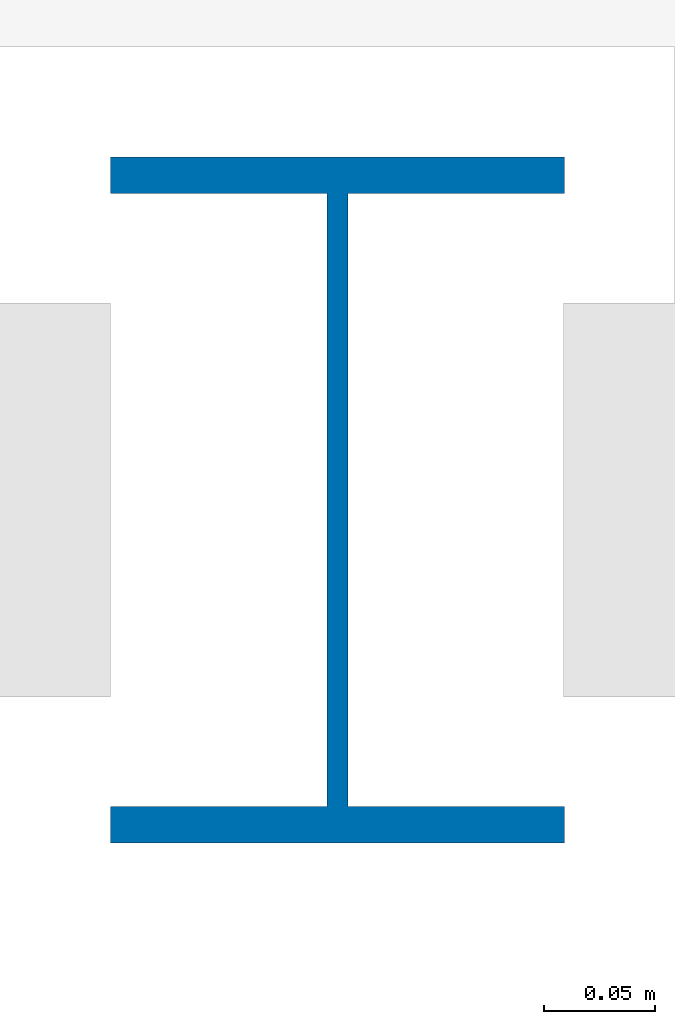
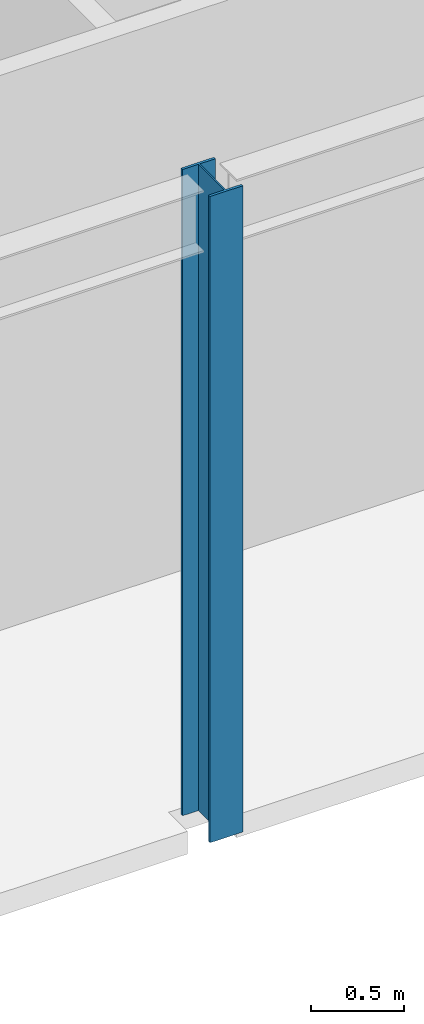
# One storey, part 13 of 169: 1 column.
"""IFC4 building model written with IfcOpenShell, lengths in metres."""

from ifc_helpers import new_model, si_unit, direction, frame, origin, origin_2d, place, context, subcontext, project, spatial, i_section, extrude, material, material_profile, profile_set, type_object, element, save


model = new_model("IFC4")

# Units and contexts
model_context = context("Model", 3, precision=1e-05, world=origin(), true_north=direction((0.0, 1.0)))
body_context = subcontext(model_context, "Body", "Model", "MODEL_VIEW")
ifc_project = project(units=[si_unit("LENGTHUNIT", "METRE"), si_unit("AREAUNIT", "SQUARE_METRE"), si_unit("VOLUMEUNIT", "CUBIC_METRE"), si_unit("PLANEANGLEUNIT", "RADIAN"), si_unit("MASSUNIT", "GRAM", prefix="KILO")], contexts=[model_context])

# Site, building, storey
site_placement = place(None, origin())
site = spatial("IfcSite", under=ifc_project, at=site_placement, CompositionType="ELEMENT")
building_placement = place(site_placement, origin())
building = spatial("IfcBuilding", under=site, at=building_placement, Name="Verrick Yard Athletic Hall", CompositionType="ELEMENT")
storey_placement = place(building_placement, frame((0.0, 0.0, 4.39990234375)))
storey = spatial("IfcBuildingStorey", under=building, at=storey_placement, Name="L01", CompositionType="ELEMENT", Elevation=4.39990234375)

# Column
ifc_material = material(Name="Structural steel 350W (CSA G40.21)", Category="steel")
ifc_material_profile = material_profile(ifc_material, i_section(OverallWidth=0.205078125, OverallDepth=0.31005859375, WebThickness=0.009521484375, FlangeThickness=0.016357421875, at=origin_2d()), Name="W310x74")
ifc_profile_set = profile_set([ifc_material_profile], Name="Structural steel 350W (CSA G40.21)")
column_type = type_object("IfcColumnType", Name="HB column W310x74", PredefinedType="COLUMN", material=ifc_profile_set)
column_placement = place(storey_placement, frame((133.60009765625, 100.800048828125, 0.0), z_axis=(0.0, 0.0, 1.0), x_axis=(1.0, 0.0, 0.0)))
element("IfcColumn", 1, at=column_placement, inside=storey, type_object=column_type, Name="HB-C-A-B2S-L01", PredefinedType="COLUMN", context=body_context, shape_type="SweptSolid", body=[
    extrude(i_section(OverallWidth=0.205078125, OverallDepth=0.31005859375, WebThickness=0.009521484375, FlangeThickness=0.016357421875, at=origin_2d()), origin(), (0.0, 0.0, 1.0), 4.25),
])

save(model, "model.ifc")
